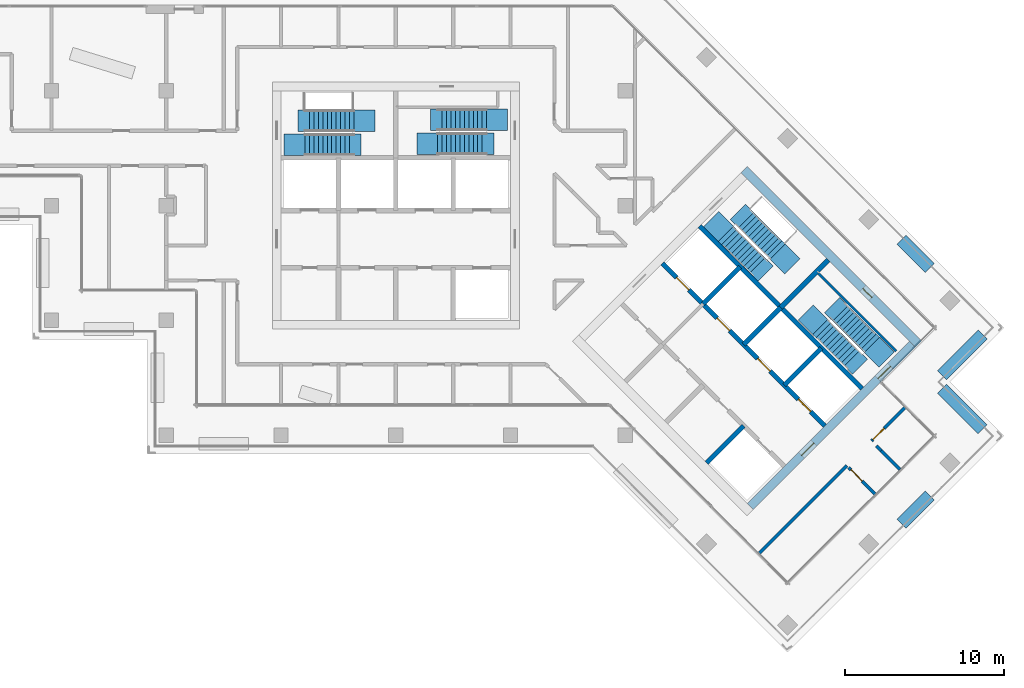
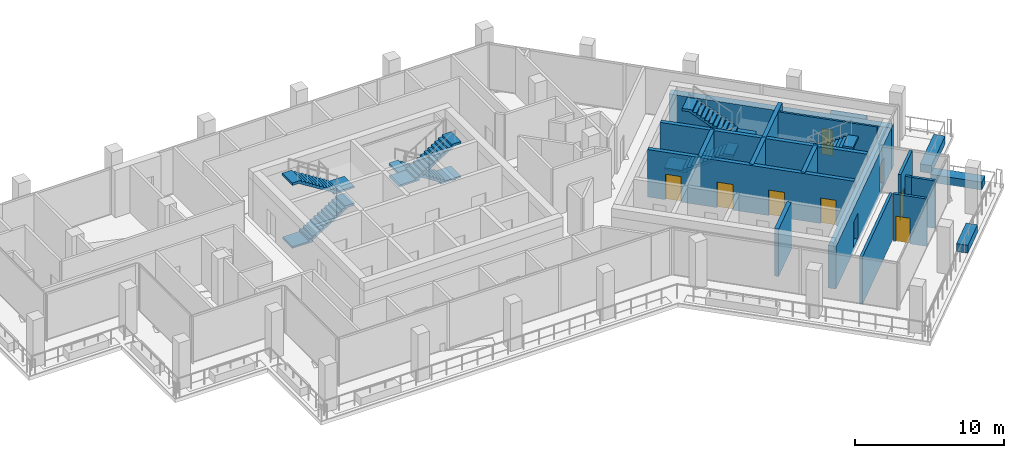
# One storey, part 12 of 19: 20 walls, 9 doors, 8 stair flights, 9 openings, 4 elements without a shape of their own.
"""IFC4 building model written with IfcOpenShell, lengths in metres."""

from ifc_helpers import new_model, si_unit, direction, frame, frame_2d, origin, place, context, subcontext, project, spatial, polyline, rectangle, outline, extrude, material, layer, layer_set, type_object, element, fill, aggregate, save


model = new_model("IFC4")

# Units and contexts
model_context = context("Model", 3, precision=1e-05, world=origin(), true_north=direction((0.0, 1.0)))
body_context = subcontext(model_context, "Body", "Model", "MODEL_VIEW")
ifc_project = project(units=[si_unit("LENGTHUNIT", "METRE"), si_unit("AREAUNIT", "SQUARE_METRE"), si_unit("VOLUMEUNIT", "CUBIC_METRE"), si_unit("PLANEANGLEUNIT", "RADIAN"), si_unit("MASSUNIT", "GRAM", prefix="KILO")], contexts=[model_context])

# Site, building, storey
site_placement = place(None, origin())
site = spatial("IfcSite", under=ifc_project, at=site_placement, CompositionType="ELEMENT")
building_placement = place(site_placement, origin())
building = spatial("IfcBuilding", under=site, at=building_placement, Name="Windrow Commons", CompositionType="ELEMENT")
storey_placement = place(building_placement, frame((0.0, 0.0, 185.4)))
storey = spatial("IfcBuildingStorey", under=building, at=storey_placement, Name="L50", CompositionType="ELEMENT", Elevation=185.4)

# Wall
ifc_material_1 = material(Name="Blockwork partition", Category="masonry")
ifc_layer_1 = layer(ifc_material_1, 0.2)
ifc_layer_set_1 = layer_set([ifc_layer_1], Name="IW-CORRIDOR-200")
wall_type_1 = type_object("IfcWallType", Name="IW-CORRIDOR-200", PredefinedType="PARTITIONING", material=ifc_layer_set_1)
wall_1_placement = place(storey_placement, frame((87.5994, 35.7826, 0.0), z_axis=(0.0, 0.0, 1.0), x_axis=(0.7071067812, 0.7071067812, 0.0)))
element("IfcWall", 1, at=wall_1_placement, inside=storey, type_object=wall_type_1, Name="W-L50-W010", PredefinedType="PARTITIONING", context=body_context, shape_type="SweptSolid", body=[
    extrude(rectangle(XDim=7.7697, YDim=0.2, at=frame_2d((3.8849, 0.0))), origin(), (0.0, 0.0, 1.0), 3.9),
])

# Wall, opening, door
wall_2_placement = place(storey_placement, frame((94.6494, 42.8326, 0.0), z_axis=(0.0, 0.0, 1.0), x_axis=(0.7071067812, 0.7071067812, 0.0)))
wall_2 = element("IfcWall", 2, at=wall_2_placement, inside=storey, type_object=wall_type_1, Name="W-L50-W028", PredefinedType="PARTITIONING", context=body_context, shape_type="SweptSolid", body=[
    extrude(rectangle(XDim=2.9698, YDim=0.2, at=frame_2d((1.4849, 0.0))), origin(), (0.0, 0.0, 1.0), 3.9),
])
opening_1_placement = place(wall_2_placement, frame((0.1221, 0.0, 0.0)))
opening_1 = element("IfcOpeningElement", 3, at=opening_1_placement, cuts=wall_2, Name="Opening D310F", PredefinedType="OPENING", context=body_context, shape_type="SweptSolid", body=[
    extrude(rectangle(XDim=1.0, YDim=2.1, at=frame_2d((0.5, 1.05))), frame((0.0, 0.11, 0.0), z_axis=(0.0, -1.0, 0.0), x_axis=(1.0, 0.0, 0.0)), (0.0, 0.0, 1.0), 0.22),
])
ifc_material_2 = material(Name="Timber door leaf", Category="wood")
door_type_1 = type_object("IfcDoorType", Name="DT-AMENITY-1000", OperationType="SINGLE_SWING_LEFT", PredefinedType="DOOR", material=ifc_material_2)
door_1_placement = place(opening_1_placement, origin())
door_1 = element("IfcDoor", 4, at=door_1_placement, inside=storey, type_object=door_type_1, Name="D-L50-D025", OperationType="SINGLE_SWING_RIGHT", OverallHeight=2.1, OverallWidth=1.0, PredefinedType="DOOR", context=body_context, shape_type="SweptSolid", body=[
    extrude(rectangle(XDim=1.0, YDim=2.1, at=frame_2d((0.5, 1.05))), frame((0.0, 0.025, 0.0), z_axis=(0.0, -1.0, 0.0), x_axis=(1.0, 0.0, 0.0)), (0.0, 0.0, 1.0), 0.05),
])
fill(opening_1, door_1)

wall_3_placement = place(storey_placement, frame((93.2133, 41.1653, 0.0), z_axis=(0.0, 0.0, 1.0), x_axis=(0.7071067812, -0.7071067812, 0.0)))
wall_3 = element("IfcWall", 5, at=wall_3_placement, inside=storey, type_object=wall_type_1, Name="W-L50-W043", PredefinedType="PARTITIONING", context=body_context, shape_type="SweptSolid", body=[
    extrude(rectangle(XDim=2.3589, YDim=0.2, at=frame_2d((1.1795, 0.0))), origin(), (0.0, 0.0, 1.0), 3.9),
])
opening_2_placement = place(wall_3_placement, frame((0.196, 0.0, 0.0)))
opening_2 = element("IfcOpeningElement", 6, at=opening_2_placement, cuts=wall_3, Name="Opening D310F", PredefinedType="OPENING", context=body_context, shape_type="SweptSolid", body=[
    extrude(rectangle(XDim=1.0, YDim=2.1, at=frame_2d((0.5, 1.05))), frame((0.0, 0.11, 0.0), z_axis=(0.0, -1.0, 0.0), x_axis=(1.0, 0.0, 0.0)), (0.0, 0.0, 1.0), 0.22),
])
door_2_placement = place(opening_2_placement, origin())
door_2 = element("IfcDoor", 7, at=door_2_placement, inside=storey, type_object=door_type_1, Name="D-L50-D026", OperationType="SINGLE_SWING_LEFT", OverallHeight=2.1, OverallWidth=1.0, PredefinedType="DOOR", context=body_context, shape_type="SweptSolid", body=[
    extrude(rectangle(XDim=1.0, YDim=2.1, at=frame_2d((0.5, 1.05))), frame((0.0, 0.025, 0.0), z_axis=(0.0, -1.0, 0.0), x_axis=(1.0, 0.0, 0.0)), (0.0, 0.0, 1.0), 0.05),
])
fill(opening_2, door_2)

# Walls
wall_4_placement = place(storey_placement, frame((95.2489, 42.2269, 0.0), z_axis=(0.0, 0.0, 1.0), x_axis=(0.7071067812, -0.7071067812, 0.0)))
element("IfcWall", 8, at=wall_4_placement, inside=storey, type_object=wall_type_1, Name="W-L50-W055", PredefinedType="PARTITIONING", context=body_context, shape_type="SweptSolid", body=[
    extrude(rectangle(XDim=1.6688, YDim=0.2, at=frame_2d((0.8344, 0.0))), origin(), (0.0, 0.0, 1.0), 3.9),
])
wall_5_placement = place(storey_placement, frame((94.9531, 42.5331, 0.0), z_axis=(0.0, 0.0, 1.0), x_axis=(0.7047536999, -0.7094520579, 0.0)))
element("IfcWall", 9, at=wall_5_placement, inside=storey, type_object=wall_type_1, Name="W-L50-W072", PredefinedType="PARTITIONING", context=body_context, shape_type="SweptSolid", body=[
    extrude(rectangle(XDim=0.4257, YDim=0.2, at=frame_2d((0.2129, 0.0))), origin(), (0.0, 0.0, 1.0), 3.9),
])
ifc_material_3 = material(Name="Concrete C30/37 planter wall", Category="concrete")
ifc_layer_2 = layer(ifc_material_3, 0.8)
ifc_layer_set_2 = layer_set([ifc_layer_2], Name="Planter 800x600")
wall_type_2 = type_object("IfcWallType", Name="Planter 800x600", PredefinedType="SOLIDWALL", material=ifc_layer_set_2)
wall_6_placement = place(storey_placement, frame((96.5235, 37.6339, 0.0), z_axis=(0.0, 0.0, 1.0), x_axis=(0.7071067812, 0.7071067812, 0.0)))
element("IfcWall", 10, at=wall_6_placement, inside=storey, type_object=wall_type_2, Name="PLANTER TR-L50-1.1", PredefinedType="SOLIDWALL", context=body_context, shape_type="SweptSolid", body=[
    extrude(rectangle(XDim=2.5019, YDim=0.8, at=frame_2d((1.251, 0.0))), origin(), (0.0, 0.0, 1.0), 0.65),
])
wall_7_placement = place(storey_placement, frame((101.6153, 43.5743, 0.0), z_axis=(0.0, 0.0, 1.0), x_axis=(-0.707092892, 0.7071206701, 0.0)))
element("IfcWall", 11, at=wall_7_placement, inside=storey, type_object=wall_type_2, Name="PLANTER TR-L50-1.2", PredefinedType="SOLIDWALL", context=body_context, shape_type="SweptSolid", body=[
    extrude(rectangle(XDim=3.6, YDim=0.8, at=frame_2d((1.8, 0.0))), origin(), (0.0, 0.0, 1.0), 0.65),
])
wall_8_placement = place(storey_placement, frame((99.0698, 46.9685, 0.0), z_axis=(0.0, 0.0, 1.0), x_axis=(0.7071067812, 0.7071067812, 0.0)))
element("IfcWall", 12, at=wall_8_placement, inside=storey, type_object=wall_type_2, Name="PLANTER TR-L50-1.3", PredefinedType="SOLIDWALL", context=body_context, shape_type="SweptSolid", body=[
    extrude(rectangle(XDim=3.5999, YDim=0.8, at=frame_2d((1.7999, 0.0))), origin(), (0.0, 0.0, 1.0), 0.65),
])
wall_9_placement = place(storey_placement, frame((98.2926, 53.6853, 0.0), z_axis=(0.0, 0.0, 1.0), x_axis=(-0.7071067812, 0.7071067812, 0.0)))
element("IfcWall", 13, at=wall_9_placement, inside=storey, type_object=wall_type_2, Name="PLANTER TR-L50-1.4", PredefinedType="SOLIDWALL", context=body_context, shape_type="SweptSolid", body=[
    extrude(rectangle(XDim=2.5019, YDim=0.8, at=frame_2d((1.251, 0.0))), origin(), (0.0, 0.0, 1.0), 0.65),
])

# Wall, opening, door
ifc_material_4 = material(Name="Concrete C50/60", Category="concrete")
ifc_layer_3 = layer(ifc_material_4, 0.55)
ifc_layer_set_3 = layer_set([ifc_layer_3], Name="RC CORE WALL 550 C50/60")
wall_type_3 = type_object("IfcWallType", Name="RC CORE WALL 550 C50/60", PredefinedType="SHEAR", material=ifc_layer_set_3)
wall_10_placement = place(storey_placement, frame((86.6423, 59.8554, -0.3), z_axis=(0.0, 0.0, 1.0), x_axis=(0.707110007, -0.7071035554, 0.0)))
wall_10 = element("IfcWall", 14, at=wall_10_placement, inside=storey, type_object=wall_type_3, Name="Core B wall outer-N", PredefinedType="SHEAR", context=body_context, shape_type="SweptSolid", body=[
    extrude(rectangle(XDim=15.5, YDim=0.55, at=frame_2d((7.75, 0.0))), origin(), (0.0, 0.0, 1.0), 3.5),
])
opening_3_placement = place(wall_10_placement, frame((10.55, 0.0, 0.3)))
opening_3 = element("IfcOpeningElement", 15, at=opening_3_placement, cuts=wall_10, Name="Opening D9", PredefinedType="OPENING", context=body_context, shape_type="SweptSolid", body=[
    extrude(rectangle(XDim=0.8, YDim=2.1, at=frame_2d((0.4, 1.05))), frame((0.0, 0.285, 0.0), z_axis=(0.0, -1.0, 0.0), x_axis=(1.0, 0.0, 0.0)), (0.0, 0.0, 1.0), 0.57),
])
ifc_material_5 = material(Name="Steel fire door leaf", Category="steel")
door_type_2 = type_object("IfcDoorType", Name="Riser access door 800", OperationType="SINGLE_SWING_LEFT", PredefinedType="DOOR", material=ifc_material_5)
door_3_placement = place(opening_3_placement, origin())
door_3 = element("IfcDoor", 16, at=door_3_placement, inside=storey, type_object=door_type_2, Name="Riser access door", OperationType="SINGLE_SWING_RIGHT", OverallHeight=2.1, OverallWidth=0.8, PredefinedType="DOOR", context=body_context, shape_type="SweptSolid", body=[
    extrude(rectangle(XDim=0.8, YDim=2.1, at=frame_2d((0.4, 1.05))), frame((0.0, 0.025, 0.0), z_axis=(0.0, -1.0, 0.0), x_axis=(1.0, 0.0, 0.0)), (0.0, 0.0, 1.0), 0.05),
])
fill(opening_3, door_3)

# Wall, openings, doors
wall_11_placement = place(storey_placement, frame((87.0312, 38.7129, -0.3), z_axis=(0.0, 0.0, 1.0), x_axis=(0.707103309, 0.7071102534, 0.0)))
wall_11 = element("IfcWall", 17, at=wall_11_placement, inside=storey, type_object=wall_type_3, Name="Core B wall outer-E", PredefinedType="SHEAR", context=body_context, shape_type="SweptSolid", body=[
    extrude(rectangle(XDim=14.4, YDim=0.55, at=frame_2d((7.2, 0.0))), origin(), (0.0, 0.0, 1.0), 3.5),
])
opening_4_placement = place(wall_11_placement, frame((4.55, 0.0, 0.3)))
opening_4 = element("IfcOpeningElement", 18, at=opening_4_placement, cuts=wall_11, Name="Opening D6", PredefinedType="OPENING", context=body_context, shape_type="SweptSolid", body=[
    extrude(rectangle(XDim=1.1, YDim=2.1, at=frame_2d((0.55, 1.05))), frame((0.0, 0.285, 0.0), z_axis=(0.0, -1.0, 0.0), x_axis=(1.0, 0.0, 0.0)), (0.0, 0.0, 1.0), 0.57),
])
opening_5_placement = place(wall_11_placement, frame((11.35, 0.0, 0.3)))
opening_5 = element("IfcOpeningElement", 19, at=opening_5_placement, cuts=wall_11, Name="Opening D7", PredefinedType="OPENING", context=body_context, shape_type="SweptSolid", body=[
    extrude(rectangle(XDim=1.1, YDim=2.1, at=frame_2d((0.55, 1.05))), frame((0.0, 0.285, 0.0), z_axis=(0.0, -1.0, 0.0), x_axis=(1.0, 0.0, 0.0)), (0.0, 0.0, 1.0), 0.57),
])
ifc_material_6 = material(Name="Steel fire door leaf", Category="steel")
door_type_3 = type_object("IfcDoorType", Name="Core lobby door 1100", OperationType="SINGLE_SWING_LEFT", PredefinedType="DOOR", material=ifc_material_6)
door_4_placement = place(opening_4_placement, origin())
door_4 = element("IfcDoor", 20, at=door_4_placement, inside=storey, type_object=door_type_3, Name="Lift lobby door", OperationType="DOUBLE_DOOR_SINGLE_SWING", OverallHeight=2.1, OverallWidth=1.1, PredefinedType="DOOR", context=body_context, shape_type="SweptSolid", body=[
    extrude(rectangle(XDim=1.1, YDim=2.1, at=frame_2d((0.55, 1.05))), frame((0.0, 0.025, 0.0), z_axis=(0.0, -1.0, 0.0), x_axis=(1.0, 0.0, 0.0)), (0.0, 0.0, 1.0), 0.05),
])
fill(opening_4, door_4)
ifc_material_7 = material(Name="Steel fire door leaf", Category="steel")
door_type_4 = type_object("IfcDoorType", Name="Stair door 1100", OperationType="SINGLE_SWING_LEFT", PredefinedType="DOOR", material=ifc_material_7)
door_5_placement = place(opening_5_placement, origin())
door_5 = element("IfcDoor", 21, at=door_5_placement, inside=storey, type_object=door_type_4, Name="Stair door", OperationType="SINGLE_SWING_RIGHT", OverallHeight=2.1, OverallWidth=1.1, PredefinedType="DOOR", context=body_context, shape_type="SweptSolid", body=[
    extrude(rectangle(XDim=1.1, YDim=2.1, at=frame_2d((0.55, 1.05))), frame((0.0, 0.025, 0.0), z_axis=(0.0, -1.0, 0.0), x_axis=(1.0, 0.0, 0.0)), (0.0, 0.0, 1.0), 0.05),
])
fill(opening_5, door_5)

# Walls
ifc_material_8 = material(Name="Concrete C50/60", Category="concrete")
ifc_layer_4 = layer(ifc_material_8, 0.3)
ifc_layer_set_4 = layer_set([ifc_layer_4], Name="RC SHAFT WALL 300 C50/60")
wall_type_4 = type_object("IfcWallType", Name="RC SHAFT WALL 300 C50/60", PredefinedType="SOLIDWALL", material=ifc_layer_set_4)
wall_12_placement = place(storey_placement, frame((84.079, 51.4232, 0.0), z_axis=(0.0, 0.0, 1.0), x_axis=(0.7071219326, 0.7070916295, 0.0)))
element("IfcWall", 22, at=wall_12_placement, inside=storey, type_object=wall_type_4, Name="Core B wall shaft-N1", PredefinedType="SOLIDWALL", context=body_context, shape_type="SweptSolid", body=[
    extrude(rectangle(XDim=3.3, YDim=0.3, at=frame_2d((1.65, 0.0))), origin(), (0.0, 0.0, 1.0), 3.9),
])
wall_13_placement = place(storey_placement, frame((86.6246, 48.8776, 0.0), z_axis=(0.0, 0.0, 1.0), x_axis=(0.7071067812, 0.7071067812, 0.0)))
element("IfcWall", 23, at=wall_13_placement, inside=storey, type_object=wall_type_4, Name="Core B wall shaft-N2", PredefinedType="SOLIDWALL", context=body_context, shape_type="SweptSolid", body=[
    extrude(rectangle(XDim=3.3001, YDim=0.3, at=frame_2d((1.6501, 0.0))), origin(), (0.0, 0.0, 1.0), 3.9),
])
wall_14_placement = place(storey_placement, frame((84.2912, 41.453, 0.0), z_axis=(0.0, 0.0, 1.0), x_axis=(0.7071067812, 0.7071067812, 0.0)))
element("IfcWall", 24, at=wall_14_placement, inside=storey, type_object=wall_type_4, Name="Core B wall shaft-S3", PredefinedType="SOLIDWALL", context=body_context, shape_type="SweptSolid", body=[
    extrude(rectangle(XDim=3.2999, YDim=0.3, at=frame_2d((1.65, 0.0))), origin(), (0.0, 0.0, 1.0), 3.9),
])
wall_15_placement = place(storey_placement, frame((89.1702, 46.332, 0.0), z_axis=(0.0, 0.0, 1.0), x_axis=(0.7071067812, 0.7071067812, 0.0)))
element("IfcWall", 25, at=wall_15_placement, inside=storey, type_object=wall_type_4, Name="Core B wall shaft-N3", PredefinedType="SOLIDWALL", context=body_context, shape_type="SweptSolid", body=[
    extrude(rectangle(XDim=3.3001, YDim=0.3, at=frame_2d((1.6501, 0.0))), origin(), (0.0, 0.0, 1.0), 3.9),
])

# Wall, openings, doors
wall_16_placement = place(storey_placement, frame((81.5335, 53.9688, 0.0), z_axis=(0.0, 0.0, 1.0), x_axis=(0.707103309, -0.7071102534, 0.0)))
wall_16 = element("IfcWall", 26, at=wall_16_placement, inside=storey, type_object=wall_type_4, Name="Core B wall lobby-N", PredefinedType="SOLIDWALL", context=body_context, shape_type="SweptSolid", body=[
    extrude(rectangle(XDim=14.4, YDim=0.3, at=frame_2d((7.2, 0.0))), origin(), (0.0, 0.0, 1.0), 3.9),
])
opening_6_placement = place(wall_16_placement, frame((1.25, 0.0, 0.0)))
opening_6 = element("IfcOpeningElement", 27, at=opening_6_placement, cuts=wall_16, Name="Opening LD", PredefinedType="OPENING", context=body_context, shape_type="SweptSolid", body=[
    extrude(rectangle(XDim=1.1, YDim=2.1, at=frame_2d((0.55, 1.05))), frame((0.0, 0.16, 0.0), z_axis=(0.0, -1.0, 0.0), x_axis=(1.0, 0.0, 0.0)), (0.0, 0.0, 1.0), 0.32),
])
opening_7_placement = place(wall_16_placement, frame((4.85, 0.0, 0.0)))
opening_7 = element("IfcOpeningElement", 28, at=opening_7_placement, cuts=wall_16, Name="Opening LD", PredefinedType="OPENING", context=body_context, shape_type="SweptSolid", body=[
    extrude(rectangle(XDim=1.1, YDim=2.1, at=frame_2d((0.55, 1.05))), frame((0.0, 0.16, 0.0), z_axis=(0.0, -1.0, 0.0), x_axis=(1.0, 0.0, 0.0)), (0.0, 0.0, 1.0), 0.32),
])
opening_8_placement = place(wall_16_placement, frame((8.45, 0.0, 0.0)))
opening_8 = element("IfcOpeningElement", 29, at=opening_8_placement, cuts=wall_16, Name="Opening LD", PredefinedType="OPENING", context=body_context, shape_type="SweptSolid", body=[
    extrude(rectangle(XDim=1.1, YDim=2.1, at=frame_2d((0.55, 1.05))), frame((0.0, 0.16, 0.0), z_axis=(0.0, -1.0, 0.0), x_axis=(1.0, 0.0, 0.0)), (0.0, 0.0, 1.0), 0.32),
])
opening_9_placement = place(wall_16_placement, frame((12.05, 0.0, 0.0)))
opening_9 = element("IfcOpeningElement", 30, at=opening_9_placement, cuts=wall_16, Name="Opening LD", PredefinedType="OPENING", context=body_context, shape_type="SweptSolid", body=[
    extrude(rectangle(XDim=1.1, YDim=2.1, at=frame_2d((0.55, 1.05))), frame((0.0, 0.16, 0.0), z_axis=(0.0, -1.0, 0.0), x_axis=(1.0, 0.0, 0.0)), (0.0, 0.0, 1.0), 0.32),
])
ifc_material_9 = material(Name="Stainless steel door leaf", Category="steel")
door_type_5 = type_object("IfcDoorType", Name="Lift landing door 1100", OperationType="SLIDING_TO_LEFT", PredefinedType="DOOR", material=ifc_material_9)
door_6_placement = place(opening_6_placement, origin())
door_6 = element("IfcDoor", 31, at=door_6_placement, inside=storey, type_object=door_type_5, Name="Lift landing door", OperationType="SLIDING_TO_LEFT", OverallHeight=2.1, OverallWidth=1.1, PredefinedType="DOOR", context=body_context, shape_type="SweptSolid", body=[
    extrude(rectangle(XDim=1.1, YDim=2.1, at=frame_2d((0.55, 1.05))), frame((0.0, 0.025, 0.0), z_axis=(0.0, -1.0, 0.0), x_axis=(1.0, 0.0, 0.0)), (0.0, 0.0, 1.0), 0.05),
])
fill(opening_6, door_6)
door_7_placement = place(opening_7_placement, origin())
door_7 = element("IfcDoor", 32, at=door_7_placement, inside=storey, type_object=door_type_5, Name="Lift landing door", OperationType="SLIDING_TO_RIGHT", OverallHeight=2.1, OverallWidth=1.1, PredefinedType="DOOR", context=body_context, shape_type="SweptSolid", body=[
    extrude(rectangle(XDim=1.1, YDim=2.1, at=frame_2d((0.55, 1.05))), frame((0.0, 0.025, 0.0), z_axis=(0.0, -1.0, 0.0), x_axis=(1.0, 0.0, 0.0)), (0.0, 0.0, 1.0), 0.05),
])
fill(opening_7, door_7)
door_8_placement = place(opening_8_placement, origin())
door_8 = element("IfcDoor", 33, at=door_8_placement, inside=storey, type_object=door_type_5, Name="Lift landing door", OperationType="SLIDING_TO_LEFT", OverallHeight=2.1, OverallWidth=1.1, PredefinedType="DOOR", context=body_context, shape_type="SweptSolid", body=[
    extrude(rectangle(XDim=1.1, YDim=2.1, at=frame_2d((0.55, 1.05))), frame((0.0, 0.025, 0.0), z_axis=(0.0, -1.0, 0.0), x_axis=(1.0, 0.0, 0.0)), (0.0, 0.0, 1.0), 0.05),
])
fill(opening_8, door_8)
door_9_placement = place(opening_9_placement, origin())
door_9 = element("IfcDoor", 34, at=door_9_placement, inside=storey, type_object=door_type_5, Name="Lift landing door", OperationType="SLIDING_TO_RIGHT", OverallHeight=2.1, OverallWidth=1.1, PredefinedType="DOOR", context=body_context, shape_type="SweptSolid", body=[
    extrude(rectangle(XDim=1.1, YDim=2.1, at=frame_2d((0.55, 1.05))), frame((0.0, 0.025, 0.0), z_axis=(0.0, -1.0, 0.0), x_axis=(1.0, 0.0, 0.0)), (0.0, 0.0, 1.0), 0.05),
])
fill(opening_9, door_9)

# Walls
for number, where, z_axis, x_axis, name in (
    (35, (83.8669, 56.3022, 0.0), (0.0, 0.0, 1.0), (0.7071137256, -0.7070998367, 0.0), "Core B wall stair-S"),
    (36, (88.9581, 51.2111, 0.0), (0.0, 0.0, 1.0), (0.7070998367, -0.7071137256, 0.0), "Core B wall stair-S2"),
):
    element("IfcWall", number, at=place(storey_placement, frame(where, z_axis=z_axis, x_axis=x_axis)), inside=storey, type_object=wall_type_4, Name=name, PredefinedType="SOLIDWALL", context=body_context, shape_type="SweptSolid", body=[
        extrude(rectangle(XDim=7.2, YDim=0.3, at=frame_2d((3.6, 0.0))), origin(), (0.0, 0.0, 1.0), 3.9),
    ])
wall_17_placement = place(storey_placement, frame((88.9581, 51.2111, 0.0), z_axis=(0.0, 0.0, 1.0), x_axis=(0.7071067812, 0.7071067812, 0.0)))
element("IfcWall", 37, at=wall_17_placement, inside=storey, type_object=wall_type_4, Name="Core B wall stair-mid", PredefinedType="SOLIDWALL", context=body_context, shape_type="SweptSolid", body=[
    extrude(rectangle(XDim=4.1999, YDim=0.3, at=frame_2d((2.1, 0.0))), origin(), (0.0, 0.0, 1.0), 3.9),
])
ifc_material_10 = material(Name="Blockwork partition", Category="masonry")
ifc_layer_5 = layer(ifc_material_10, 0.15)
ifc_layer_set_5 = layer_set([ifc_layer_5], Name="Riser partition 150")
wall_type_5 = type_object("IfcWallType", Name="Riser partition 150", PredefinedType="PARTITIONING", material=ifc_layer_set_5)
wall_18_placement = place(storey_placement, frame((91.3127, 53.3536, 0.0), z_axis=(0.0, 0.0, 1.0), x_axis=(0.7071140275, -0.7070995348, 0.0)))
element("IfcWall", 38, at=wall_18_placement, inside=storey, type_object=wall_type_5, Name="W-core-strip-B-L50", PredefinedType="PARTITIONING", context=body_context, shape_type="SweptSolid", body=[
    extrude(rectangle(XDim=6.9, YDim=0.15, at=frame_2d((3.45, 0.0))), origin(), (0.0, 0.0, 1.0), 3.9),
])

# Stair, stair flights
ifc_material_11 = material(Name="Concrete C40/50", Category="concrete")
stair_type = type_object("IfcStairType", Name="Core stair", PredefinedType="HALF_TURN_STAIR", material=ifc_material_11)
placement = place(storey_placement, origin())
stair_1 = element("IfcStair", 39, at=placement, inside=storey, type_object=stair_type, Name="L50 Exit stair A1 core A", PredefinedType="HALF_TURN_STAIR")
ifc_material_12 = material(Name="Concrete C40/50", Category="concrete")
stair_flight_type = type_object("IfcStairFlightType", Name="Core stair flight", PredefinedType="STRAIGHT", material=ifc_material_12)
stair_flight_1_placement = place(storey_placement, frame((59.1, 61.425, 0.0), z_axis=(0.0, 0.0, 1.0), x_axis=(1.0, 0.0, 0.0)))
stair_flight_1 = element("IfcStairFlight", 40, at=stair_flight_1_placement, type_object=stair_flight_type, Name="ST-A1 flight 1", NumberOfRisers=12, NumberOfTreads=11, PredefinedType="STRAIGHT", RiserHeight=0.175, TreadLength=0.28, context=body_context, shape_type="SweptSolid", body=[
    extrude(outline(polyline([(-1.3, -0.15), (-1.3, 0.0), (0.0, 0.0), (0.0, 0.175), (0.28, 0.175), (0.28, 0.35), (0.56, 0.35), (0.56, 0.525), (0.84, 0.525), (0.84, 0.7), (1.12, 0.7), (1.12, 0.875), (1.4, 0.875), (1.4, 1.05), (1.68, 1.05), (1.68, 1.225), (1.96, 1.225), (1.96, 1.4), (2.24, 1.4), (2.24, 1.575), (2.52, 1.575), (2.52, 1.75), (2.8, 1.75), (2.8, 1.925), (3.08, 1.925), (3.53, 1.925), (3.53, 1.725), (3.08, 1.725), (3.08, 1.7481), (0.283, 0.0), (0.283, -0.15), (-1.3, -0.15)])), frame((0.0, 0.675, 0.0), z_axis=(0.0, -1.0, 0.0), x_axis=(1.0, 0.0, 0.0)), (0.0, 0.0, 1.0), 1.35),
])
stair_flight_2_placement = place(storey_placement, frame((62.18, 62.925, 2.1), z_axis=(0.0, 0.0, 1.0), x_axis=(-1.0, 0.0, 0.0)))
stair_flight_2 = element("IfcStairFlight", 41, at=stair_flight_2_placement, type_object=stair_flight_type, Name="ST-A1 flight 2", NumberOfRisers=12, NumberOfTreads=11, PredefinedType="STRAIGHT", RiserHeight=0.175, TreadLength=0.28, context=body_context, shape_type="SweptSolid", body=[
    extrude(outline(polyline([(-1.3, -0.15), (-1.3, 0.0), (0.0, 0.0), (0.0, 0.175), (0.28, 0.175), (0.28, 0.35), (0.56, 0.35), (0.56, 0.525), (0.84, 0.525), (0.84, 0.7), (1.12, 0.7), (1.12, 0.875), (1.4, 0.875), (1.4, 1.05), (1.68, 1.05), (1.68, 1.225), (1.96, 1.225), (1.96, 1.4), (2.24, 1.4), (2.24, 1.575), (2.52, 1.575), (2.52, 1.75), (2.8, 1.75), (2.8, 1.925), (3.08, 1.925), (3.53, 1.925), (3.53, 1.725), (3.08, 1.725), (3.08, 1.7481), (0.283, 0.0), (0.283, -0.15), (-1.3, -0.15)])), frame((0.0, 0.675, 0.0), z_axis=(0.0, -1.0, 0.0), x_axis=(1.0, 0.0, 0.0)), (0.0, 0.0, 1.0), 1.35),
])
aggregate(stair_1, [stair_flight_1, stair_flight_2])

stair_2 = element("IfcStair", 42, at=placement, inside=storey, type_object=stair_type, Name="L50 Exit stair A2 core A", PredefinedType="HALF_TURN_STAIR")
stair_flight_3_placement = place(storey_placement, frame((70.5, 62.98, 0.0), z_axis=(0.0, 0.0, 1.0), x_axis=(-1.0, 0.0, 0.0)))
stair_flight_3 = element("IfcStairFlight", 43, at=stair_flight_3_placement, type_object=stair_flight_type, Name="ST-A2 flight 1", NumberOfRisers=12, NumberOfTreads=11, PredefinedType="STRAIGHT", RiserHeight=0.175, TreadLength=0.28, context=body_context, shape_type="SweptSolid", body=[
    extrude(outline(polyline([(-1.3, -0.15), (-1.3, 0.0), (0.0, 0.0), (0.0, 0.175), (0.28, 0.175), (0.28, 0.35), (0.56, 0.35), (0.56, 0.525), (0.84, 0.525), (0.84, 0.7), (1.12, 0.7), (1.12, 0.875), (1.4, 0.875), (1.4, 1.05), (1.68, 1.05), (1.68, 1.225), (1.96, 1.225), (1.96, 1.4), (2.24, 1.4), (2.24, 1.575), (2.52, 1.575), (2.52, 1.75), (2.8, 1.75), (2.8, 1.925), (3.08, 1.925), (3.53, 1.925), (3.53, 1.725), (3.08, 1.725), (3.08, 1.7481), (0.283, 0.0), (0.283, -0.15), (-1.3, -0.15)])), frame((0.0, 0.675, 0.0), z_axis=(0.0, -1.0, 0.0), x_axis=(1.0, 0.0, 0.0)), (0.0, 0.0, 1.0), 1.35),
])
stair_flight_4_placement = place(storey_placement, frame((67.42, 61.48, 2.1), z_axis=(0.0, 0.0, 1.0), x_axis=(1.0, 0.0, 0.0)))
stair_flight_4 = element("IfcStairFlight", 44, at=stair_flight_4_placement, type_object=stair_flight_type, Name="ST-A2 flight 2", NumberOfRisers=12, NumberOfTreads=11, PredefinedType="STRAIGHT", RiserHeight=0.175, TreadLength=0.28, context=body_context, shape_type="SweptSolid", body=[
    extrude(outline(polyline([(-1.3, -0.15), (-1.3, 0.0), (0.0, 0.0), (0.0, 0.175), (0.28, 0.175), (0.28, 0.35), (0.56, 0.35), (0.56, 0.525), (0.84, 0.525), (0.84, 0.7), (1.12, 0.7), (1.12, 0.875), (1.4, 0.875), (1.4, 1.05), (1.68, 1.05), (1.68, 1.225), (1.96, 1.225), (1.96, 1.4), (2.24, 1.4), (2.24, 1.575), (2.52, 1.575), (2.52, 1.75), (2.8, 1.75), (2.8, 1.925), (3.08, 1.925), (3.53, 1.925), (3.53, 1.725), (3.08, 1.725), (3.08, 1.7481), (0.283, 0.0), (0.283, -0.15), (-1.3, -0.15)])), frame((0.0, 0.675, 0.0), z_axis=(0.0, -1.0, 0.0), x_axis=(1.0, 0.0, 0.0)), (0.0, 0.0, 1.0), 1.35),
])
aggregate(stair_2, [stair_flight_3, stair_flight_4])

stair_3 = element("IfcStair", 45, at=placement, inside=storey, type_object=stair_type, Name="L50 Exit stair B1 core B", PredefinedType="HALF_TURN_STAIR")
stair_flight_5_placement = place(storey_placement, frame((85.5109, 55.8249, 0.0), z_axis=(0.0, 0.0, 1.0), x_axis=(0.7071067812, -0.7071067812, 0.0)))
stair_flight_5 = element("IfcStairFlight", 46, at=stair_flight_5_placement, type_object=stair_flight_type, Name="ST-B1 flight 1", NumberOfRisers=12, NumberOfTreads=11, PredefinedType="STRAIGHT", RiserHeight=0.175, TreadLength=0.28, context=body_context, shape_type="SweptSolid", body=[
    extrude(outline(polyline([(-1.3, -0.15), (-1.3, 0.0), (0.0, 0.0), (0.0, 0.175), (0.28, 0.175), (0.28, 0.35), (0.56, 0.35), (0.56, 0.525), (0.84, 0.525), (0.84, 0.7), (1.12, 0.7), (1.12, 0.875), (1.4, 0.875), (1.4, 1.05), (1.68, 1.05), (1.68, 1.225), (1.96, 1.225), (1.96, 1.4), (2.24, 1.4), (2.24, 1.575), (2.52, 1.575), (2.52, 1.75), (2.8, 1.75), (2.8, 1.925), (3.08, 1.925), (3.53, 1.925), (3.53, 1.725), (3.08, 1.725), (3.08, 1.7481), (0.283, 0.0), (0.283, -0.15), (-1.3, -0.15)])), frame((0.0, 0.675, 0.0), z_axis=(0.0, -1.0, 0.0), x_axis=(1.0, 0.0, 0.0)), (0.0, 0.0, 1.0), 1.35),
])
stair_flight_6_placement = place(storey_placement, frame((88.7495, 54.7077, 2.1), z_axis=(0.0, 0.0, 1.0), x_axis=(-0.7071067812, 0.7071067812, 0.0)))
stair_flight_6 = element("IfcStairFlight", 47, at=stair_flight_6_placement, type_object=stair_flight_type, Name="ST-B1 flight 2", NumberOfRisers=12, NumberOfTreads=11, PredefinedType="STRAIGHT", RiserHeight=0.175, TreadLength=0.28, context=body_context, shape_type="SweptSolid", body=[
    extrude(outline(polyline([(-1.3, -0.15), (-1.3, 0.0), (0.0, 0.0), (0.0, 0.175), (0.28, 0.175), (0.28, 0.35), (0.56, 0.35), (0.56, 0.525), (0.84, 0.525), (0.84, 0.7), (1.12, 0.7), (1.12, 0.875), (1.4, 0.875), (1.4, 1.05), (1.68, 1.05), (1.68, 1.225), (1.96, 1.225), (1.96, 1.4), (2.24, 1.4), (2.24, 1.575), (2.52, 1.575), (2.52, 1.75), (2.8, 1.75), (2.8, 1.925), (3.08, 1.925), (3.53, 1.925), (3.53, 1.725), (3.08, 1.725), (3.08, 1.7481), (0.283, 0.0), (0.283, -0.15), (-1.3, -0.15)])), frame((0.0, 0.675, 0.0), z_axis=(0.0, -1.0, 0.0), x_axis=(1.0, 0.0, 0.0)), (0.0, 0.0, 1.0), 1.35),
])
aggregate(stair_3, [stair_flight_5, stair_flight_6])

stair_4 = element("IfcStair", 48, at=placement, inside=storey, type_object=stair_type, Name="L50 Exit stair B2 core B", PredefinedType="HALF_TURN_STAIR")
stair_flight_7_placement = place(storey_placement, frame((94.6715, 48.8635, 0.0), z_axis=(0.0, 0.0, 1.0), x_axis=(-0.7071067812, 0.7071067812, 0.0)))
stair_flight_7 = element("IfcStairFlight", 49, at=stair_flight_7_placement, type_object=stair_flight_type, Name="ST-B2 flight 1", NumberOfRisers=12, NumberOfTreads=11, PredefinedType="STRAIGHT", RiserHeight=0.175, TreadLength=0.28, context=body_context, shape_type="SweptSolid", body=[
    extrude(outline(polyline([(-1.3, -0.15), (-1.3, 0.0), (0.0, 0.0), (0.0, 0.175), (0.28, 0.175), (0.28, 0.35), (0.56, 0.35), (0.56, 0.525), (0.84, 0.525), (0.84, 0.7), (1.12, 0.7), (1.12, 0.875), (1.4, 0.875), (1.4, 1.05), (1.68, 1.05), (1.68, 1.225), (1.96, 1.225), (1.96, 1.4), (2.24, 1.4), (2.24, 1.575), (2.52, 1.575), (2.52, 1.75), (2.8, 1.75), (2.8, 1.925), (3.08, 1.925), (3.53, 1.925), (3.53, 1.725), (3.08, 1.725), (3.08, 1.7481), (0.283, 0.0), (0.283, -0.15), (-1.3, -0.15)])), frame((0.0, 0.675, 0.0), z_axis=(0.0, -1.0, 0.0), x_axis=(1.0, 0.0, 0.0)), (0.0, 0.0, 1.0), 1.35),
])
stair_flight_8_placement = place(storey_placement, frame((91.4329, 49.9807, 2.1), z_axis=(0.0, 0.0, 1.0), x_axis=(0.7071067812, -0.7071067812, 0.0)))
stair_flight_8 = element("IfcStairFlight", 50, at=stair_flight_8_placement, type_object=stair_flight_type, Name="ST-B2 flight 2", NumberOfRisers=12, NumberOfTreads=11, PredefinedType="STRAIGHT", RiserHeight=0.175, TreadLength=0.28, context=body_context, shape_type="SweptSolid", body=[
    extrude(outline(polyline([(-1.3, -0.15), (-1.3, 0.0), (0.0, 0.0), (0.0, 0.175), (0.28, 0.175), (0.28, 0.35), (0.56, 0.35), (0.56, 0.525), (0.84, 0.525), (0.84, 0.7), (1.12, 0.7), (1.12, 0.875), (1.4, 0.875), (1.4, 1.05), (1.68, 1.05), (1.68, 1.225), (1.96, 1.225), (1.96, 1.4), (2.24, 1.4), (2.24, 1.575), (2.52, 1.575), (2.52, 1.75), (2.8, 1.75), (2.8, 1.925), (3.08, 1.925), (3.53, 1.925), (3.53, 1.725), (3.08, 1.725), (3.08, 1.7481), (0.283, 0.0), (0.283, -0.15), (-1.3, -0.15)])), frame((0.0, 0.675, 0.0), z_axis=(0.0, -1.0, 0.0), x_axis=(1.0, 0.0, 0.0)), (0.0, 0.0, 1.0), 1.35),
])
aggregate(stair_4, [stair_flight_7, stair_flight_8])

save(model, "model.ifc")
